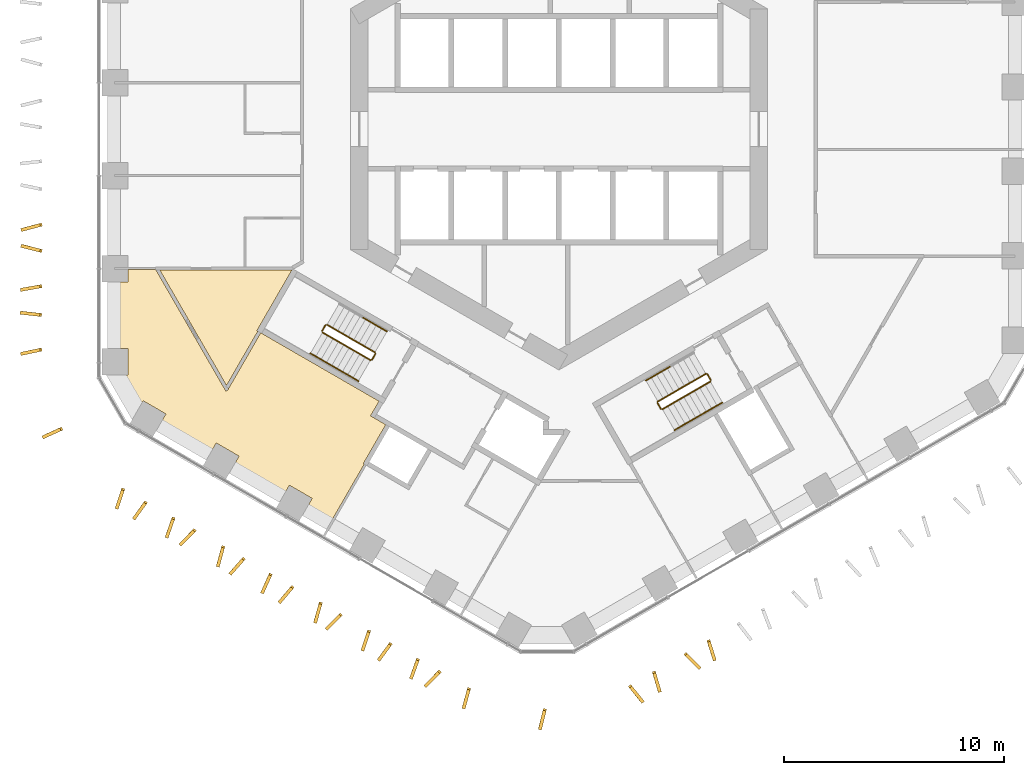
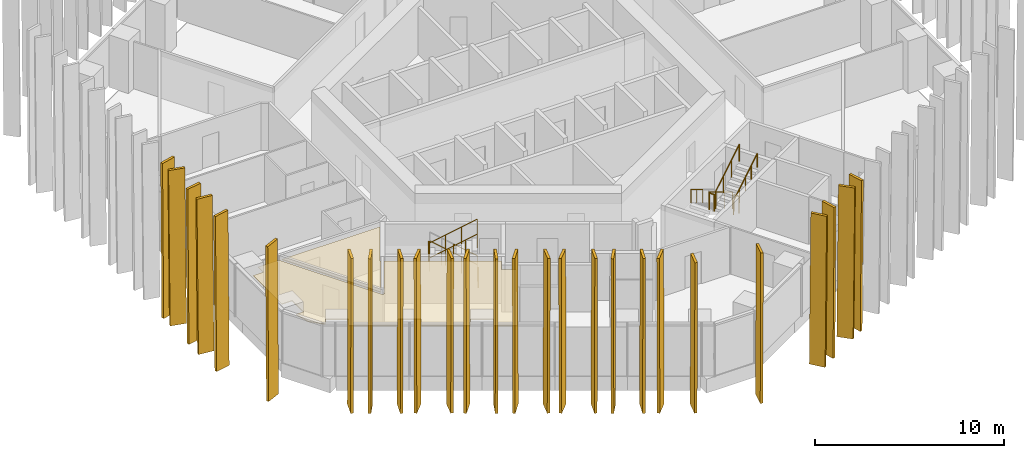
# One storey, part 17 of 19: 26 shading devices, 14 railings, 2 coverings.
"""IFC4 building model written with IfcOpenShell, lengths in metres."""

from ifc_helpers import new_model, si_unit, direction, frame, origin, origin_2d, place, context, subcontext, project, spatial, polyline, circle, outline, extrude, material, layer, layer_set, type_object, element, save


model = new_model("IFC4")

# Units and contexts
model_context = context("Model", 3, precision=1e-05, world=origin(), true_north=direction((0.0, 1.0)))
body_context = subcontext(model_context, "Body", "Model", "MODEL_VIEW")
ifc_project = project(units=[si_unit("LENGTHUNIT", "METRE"), si_unit("AREAUNIT", "SQUARE_METRE"), si_unit("VOLUMEUNIT", "CUBIC_METRE"), si_unit("PLANEANGLEUNIT", "RADIAN"), si_unit("MASSUNIT", "GRAM", prefix="KILO")], contexts=[model_context])

# Site, building, storey
site_placement = place(None, origin())
site = spatial("IfcSite", under=ifc_project, at=site_placement, CompositionType="ELEMENT")
building_placement = place(site_placement, origin())
building = spatial("IfcBuilding", under=site, at=building_placement, Name="Ayvan Gate Tower", CompositionType="ELEMENT")
storey_placement = place(building_placement, frame((0.0, 0.0, 56.10009765625)))
storey = spatial("IfcBuildingStorey", under=building, at=storey_placement, Name="L14", CompositionType="ELEMENT", Elevation=56.10009765625)

# Shading devices
ifc_material_1 = material(Name="Bronze anodised aluminium", Category="aluminium")
ifc_layer_1 = layer(ifc_material_1, 0.14990234375)
ifc_layer_set_1 = layer_set([ifc_layer_1], Name="Bronze anodised aluminium")
shading_device_type = type_object("IfcShadingDeviceType", Name="Bronze fin 900 x 150", PredefinedType="USERDEFINED", material=ifc_layer_set_1)
shading_device_1_placement = place(storey_placement, frame((-23.56640625, -4.269775390625, 0.0), z_axis=(-0.255534649947, 0.966799885788, 0.000153350932), x_axis=(-0.966799897156, -0.255534652952, 0.0)))
element("IfcShadingDevice", 1, at=shading_device_1_placement, inside=storey, type_object=shading_device_type, Name="Bronze fin FG04.3.27", ObjectType="FIN", PredefinedType="USERDEFINED", context=body_context, shape_type="SweptSolid", body=[
    extrude(outline(polyline([(0.0, 0.0), (0.8999971866563695, 6.776263578034403e-21), (0.9877792082396812, 10.079834102896253), (0.08778202158331173, 10.079834102896253), (0.0, 0.0)])), origin(), (0.0, 0.0, -1.0), 0.14990234375),
])
shading_device_2_placement = place(storey_placement, frame((-23.530029296875, -5.477294921875, 0.0), z_axis=(0.244418128171, 0.969669921361, 0.000149093428), x_axis=(-0.969669932139, 0.244418130887, 4.942e-09)))
element("IfcShadingDevice", 2, at=shading_device_2_placement, inside=storey, type_object=shading_device_type, Name="Bronze fin FG04.3.28", ObjectType="FIN", PredefinedType="USERDEFINED", context=body_context, shape_type="SweptSolid", body=[
    extrude(outline(polyline([(0.0, 0.0), (0.9000953963195151, -6.776263578034403e-21), (0.9878461206912504, 10.079834091524507), (0.08798746019501132, 10.079834100420099), (0.0, 0.0)])), origin(), (0.0, 0.0, -1.0), 0.14990234375),
])
shading_device_3_placement = place(storey_placement, frame((-23.567626953125, -7.0732421875, 0.0), z_axis=(-0.175077151907, 0.984554703984, 0.000160445596), x_axis=(-0.984554716657, -0.175077154157, -2.1423e-08)))
element("IfcShadingDevice", 3, at=shading_device_3_placement, inside=storey, type_object=shading_device_type, Name="Bronze fin FG04.3.29", ObjectType="FIN", PredefinedType="USERDEFINED", context=body_context, shape_type="SweptSolid", body=[
    extrude(outline(polyline([(0.0, 0.0), (0.9001119106195165, -3.3881317890172014e-21), (0.9879542766541323, 10.079834135281514), (0.08779962258877673, 10.079834096714322), (0.0, 0.0)])), origin(), (0.0, 0.0, -1.0), 0.14990234375),
])
shading_device_4_placement = place(storey_placement, frame((-23.550048828125, -8.392333984375, 0.0), z_axis=(0.110952561334, 0.993825693022, 0.000144995269), x_axis=(-0.993825703468, 0.1109525625, -2.182e-09)))
element("IfcShadingDevice", 4, at=shading_device_4_placement, inside=storey, type_object=shading_device_type, Name="Bronze fin FG04.3.30", ObjectType="FIN", PredefinedType="USERDEFINED", context=body_context, shape_type="SweptSolid", body=[
    extrude(outline(polyline([(0.0, 0.0), (0.8998445190106594, 3.3881317890172014e-21), (0.9878708189534259, 10.079834092488266), (0.0877836667143806, 10.079834088560101), (0.0, 0.0)])), origin(), (0.0, 0.0, -1.0), 0.14990234375),
])
shading_device_5_placement = place(storey_placement, frame((-23.567626953125, -9.961181640625, 0.0), z_axis=(-0.206147179218, 0.978520985565, 0.000145980394), x_axis=(-0.978520995991, -0.206147181415, 4.082e-09)))
element("IfcShadingDevice", 5, at=shading_device_5_placement, inside=storey, type_object=shading_device_type, Name="Bronze fin FG04.3.31", ObjectType="FIN", PredefinedType="USERDEFINED", context=body_context, shape_type="SweptSolid", body=[
    extrude(outline(polyline([(0.0, 0.0), (0.8999504615268289, -6.776263578034403e-21), (0.9878295661742267, 10.079834087744793), (0.08764020791986092, 10.0798340950928), (0.0, 0.0)])), origin(), (0.0, 0.0, -1.0), 0.14990234375),
])
shading_device_6_placement = place(storey_placement, frame((-22.65673828125, -13.5654296875, 0.0), z_axis=(-0.413813158514, 0.910361822337, 0.000149238865), x_axis=(-0.910361832473, -0.413813163125, 1.8426e-08)))
element("IfcShadingDevice", 6, at=shading_device_6_placement, inside=storey, type_object=shading_device_type, Name="Bronze fin FG04.4.32", ObjectType="FIN", PredefinedType="USERDEFINED", context=body_context, shape_type="SweptSolid", body=[
    extrude(outline(polyline([(0.0, 0.0), (0.9000618156029703, 6.776263578034403e-21), (0.9878537060897862, 10.079834078422937), (0.08789291909109452, 10.079834111590355), (0.0, 0.0)])), origin(), (0.0, 0.0, -1.0), 0.14990234375),
])
shading_device_7_placement = place(storey_placement, frame((-19.90869140625, -16.3359375, 0.0), z_axis=(-0.947838977231, 0.31874951295, 0.000145727091), x_axis=(-0.318749516334, -0.947838987295, 0.0)))
element("IfcShadingDevice", 7, at=shading_device_7_placement, inside=storey, type_object=shading_device_type, Name="Bronze fin FG04.5.33", ObjectType="FIN", PredefinedType="USERDEFINED", context=body_context, shape_type="SweptSolid", body=[
    extrude(outline(polyline([(0.0, 0.0), (0.8999707283452081, 6.776263578034403e-21), (0.9878253352599218, 10.07983409140462), (0.08785460691471371, 10.07983409140462), (0.0, 0.0)])), origin(), (0.0, 0.0, -1.0), 0.14990234375),
])
shading_device_8_placement = place(storey_placement, frame((-18.8603515625, -16.922607421875, 0.0), z_axis=(-0.812200130306, 0.58337888451, 0.000159498708), x_axis=(-0.583378891928, -0.812200140638, 1.7573e-08)))
element("IfcShadingDevice", 8, at=shading_device_8_placement, inside=storey, type_object=shading_device_type, Name="Bronze fin FG04.5.34", ObjectType="FIN", PredefinedType="USERDEFINED", context=body_context, shape_type="SweptSolid", body=[
    extrude(outline(polyline([(0.0, 0.0), (0.8999003512490822, 0.0), (0.9877921090600779, 10.079834095231607), (0.08774933132370834, 10.079834126861277), (0.0, 0.0)])), origin(), (0.0, 0.0, -1.0), 0.14990234375),
])
shading_device_9_placement = place(storey_placement, frame((-17.619384765625, -17.65771484375, 0.0), z_axis=(-0.943942890882, 0.330108763852, 0.000150934933), x_axis=(-0.330108767612, -0.943942901634, 0.0)))
element("IfcShadingDevice", 9, at=shading_device_9_placement, inside=storey, type_object=shading_device_type, Name="Bronze fin FG04.5.35", ObjectType="FIN", PredefinedType="USERDEFINED", context=body_context, shape_type="SweptSolid", body=[
    extrude(outline(polyline([(0.0, 0.0), (0.9000643720388166, 6.776263578034403e-21), (0.9879869216235507, 10.079834099191135), (0.0879225495847341, 10.079834099191135), (0.0, 0.0)])), origin(), (0.0, 0.0, -1.0), 0.14990234375),
])
shading_device_10_placement = place(storey_placement, frame((-16.625244140625, -18.1875, 0.0), z_axis=(-0.714124679589, 0.700018513078, 0.000152807978), x_axis=(-0.700018521251, -0.714124687926, 2.92e-10)))
element("IfcShadingDevice", 10, at=shading_device_10_placement, inside=storey, type_object=shading_device_type, Name="Bronze fin FG04.5.36", ObjectType="FIN", PredefinedType="USERDEFINED", context=body_context, shape_type="SweptSolid", body=[
    extrude(outline(polyline([(0.0, 0.0), (0.8998105379514405, -1.3552527156068805e-20), (0.9878733488841129, 10.079834101769585), (0.08771756112574446, 10.07983410229594), (0.0, 0.0)])), origin(), (0.0, 0.0, -1.0), 0.14990234375),
])
shading_device_11_placement = place(storey_placement, frame((-15.354736328125, -18.9638671875, 0.0), z_axis=(-0.964239186736, 0.26503353086, 0.000135215896), x_axis=(-0.265033533282, -0.964239195551, 4.86e-09)))
element("IfcShadingDevice", 11, at=shading_device_11_placement, inside=storey, type_object=shading_device_type, Name="Bronze fin FG04.5.37", ObjectType="FIN", PredefinedType="USERDEFINED", context=body_context, shape_type="SweptSolid", body=[
    extrude(outline(polyline([(0.0, 0.0), (0.9000996343258985, 0.0), (0.9878458400649727, 10.079834071720448), (0.08798161569892543, 10.07983408046851), (0.0, 0.0)])), origin(), (0.0, 0.0, -1.0), 0.14990234375),
])
shading_device_12_placement = place(storey_placement, frame((-14.390625, -19.48779296875, 0.0), z_axis=(-0.750826499351, 0.660499467457, 0.000146154473), x_axis=(-0.660499474511, -0.750826507371, 0.0)))
element("IfcShadingDevice", 12, at=shading_device_12_placement, inside=storey, type_object=shading_device_type, Name="Bronze fin FG04.5.38", ObjectType="FIN", PredefinedType="USERDEFINED", context=body_context, shape_type="SweptSolid", body=[
    extrude(outline(polyline([(0.0, 0.0), (0.9000498029386641, 0.0), (0.9878483480023044, 10.079834092033323), (0.08779854506364024, 10.079834092033323), (0.0, 0.0)])), origin(), (0.0, 0.0, -1.0), 0.14990234375),
])
shading_device_13_placement = place(storey_placement, frame((-13.189453125, -20.2138671875, 0.0), z_axis=(-0.912012835694, 0.410161632234, 0.000151565326), x_axis=(-0.410161636945, -0.91201284617, 0.0)))
element("IfcShadingDevice", 13, at=shading_device_13_placement, inside=storey, type_object=shading_device_type, Name="Bronze fin FG04.5.39", ObjectType="FIN", PredefinedType="USERDEFINED", context=body_context, shape_type="SweptSolid", body=[
    extrude(outline(polyline([(0.0, 0.0), (0.8999881796590448, 0.0), (0.9879079073271037, 10.079834100152219), (0.08791972766805883, 10.079834100152219), (0.0, 0.0)])), origin(), (0.0, 0.0, -1.0), 0.14990234375),
])
shading_device_14_placement = place(storey_placement, frame((-12.16552734375, -20.775146484375, 0.0), z_axis=(-0.76070985243, 0.649092058073, 0.000143398404), x_axis=(-0.649092064748, -0.76070986025, -1.2625e-08)))
element("IfcShadingDevice", 14, at=shading_device_14_placement, inside=storey, type_object=shading_device_type, Name="Bronze fin FG04.5.40", ObjectType="FIN", PredefinedType="USERDEFINED", context=body_context, shape_type="SweptSolid", body=[
    extrude(outline(polyline([(0.0, 0.0), (0.8999774802446858, -1.3552527156068805e-20), (0.98789713423179, 10.079834100483465), (0.08773393380637913, 10.079834077756813), (0.0, 0.0)])), origin(), (0.0, 0.0, -1.0), 0.14990234375),
])
shading_device_15_placement = place(storey_placement, frame((-10.9150390625, -21.52734375, 0.0), z_axis=(-0.962616674342, 0.270867338123, 0.000153022541), x_axis=(-0.270867341291, -0.962616685614, 2.5599e-08)))
element("IfcShadingDevice", 15, at=shading_device_15_placement, inside=storey, type_object=shading_device_type, Name="Bronze fin FG04.5.41", ObjectType="FIN", PredefinedType="USERDEFINED", context=body_context, shape_type="SweptSolid", body=[
    extrude(outline(polyline([(0.0, 0.0), (0.900061578088748, 0.0), (0.9879305866110687, 10.079834077098932), (0.08803789263958697, 10.079834123176362), (0.0, 0.0)])), origin(), (0.0, 0.0, -1.0), 0.14990234375),
])
shading_device_16_placement = place(storey_placement, frame((-9.963134765625, -22.03271484375, 0.0), z_axis=(-0.710354054911, 0.703844510307, 0.000148264902), x_axis=(-0.703844518043, -0.710354062719, 0.0)))
element("IfcShadingDevice", 16, at=shading_device_16_placement, inside=storey, type_object=shading_device_type, Name="Bronze fin FG04.5.42", ObjectType="FIN", PredefinedType="USERDEFINED", context=body_context, shape_type="SweptSolid", body=[
    extrude(outline(polyline([(0.0, 0.0), (0.900120560200584, 0.0), (0.9879988173537924, 10.079834095164882), (0.08787825715320852, 10.079834095164882), (0.0, 0.0)])), origin(), (0.0, 0.0, -1.0), 0.14990234375),
])
shading_device_17_placement = place(storey_placement, frame((-8.7109375, -22.801025390625, 0.0), z_axis=(-0.94910294756, 0.314965991744, 0.000137760066), x_axis=(-0.314965994734, -0.949102956566, -5.886e-09)))
element("IfcShadingDevice", 17, at=shading_device_17_placement, inside=storey, type_object=shading_device_type, Name="Bronze fin FG04.5.43", ObjectType="FIN", PredefinedType="USERDEFINED", context=body_context, shape_type="SweptSolid", body=[
    extrude(outline(polyline([(0.0, 0.0), (0.8998138823125035, 0.0), (0.9878284090363812, 10.0798340858364), (0.08778281213487249, 10.079834075241838), (0.0, 0.0)])), origin(), (0.0, 0.0, -1.0), 0.14990234375),
])
shading_device_18_placement = place(storey_placement, frame((-7.702880859375, -23.36328125, 0.0), z_axis=(-0.807137521629, 0.590363444392, 0.000157177457), x_axis=(-0.590363451684, -0.807137531599, 0.0)))
element("IfcShadingDevice", 18, at=shading_device_18_placement, inside=storey, type_object=shading_device_type, Name="Bronze fin FG04.5.44", ObjectType="FIN", PredefinedType="USERDEFINED", context=body_context, shape_type="SweptSolid", body=[
    extrude(outline(polyline([(0.0, 0.0), (0.89986939144811, 1.3552527156068805e-20), (0.9876388418359761, 10.079834108884908), (0.08776945038786613, 10.079834108884908), (0.0, 0.0)])), origin(), (0.0, 0.0, -1.0), 0.14990234375),
])
shading_device_19_placement = place(storey_placement, frame((-6.480712890625, -24.088623046875, 0.0), z_axis=(-0.940959993955, 0.338517749339, 0.000152183332), x_axis=(-0.338517753259, -0.940960004851, 0.0)))
element("IfcShadingDevice", 19, at=shading_device_19_placement, inside=storey, type_object=shading_device_type, Name="Bronze fin FG04.5.45", ObjectType="FIN", PredefinedType="USERDEFINED", context=body_context, shape_type="SweptSolid", body=[
    extrude(outline(polyline([(0.0, 0.0), (0.9000635773667073, 0.0), (0.9879872641421243, 10.079834101098303), (0.08792368677541715, 10.079834101098303), (0.0, 0.0)])), origin(), (0.0, 0.0, -1.0), 0.14990234375),
])
shading_device_20_placement = place(storey_placement, frame((-5.464599609375, -24.631591796875, 0.0), z_axis=(-0.716403386115, 0.697686296512, 0.000141501521), x_axis=(-0.697686303497, -0.716403393287, 0.0)))
element("IfcShadingDevice", 20, at=shading_device_20_placement, inside=storey, type_object=shading_device_type, Name="Bronze fin FG04.5.46", ObjectType="FIN", PredefinedType="USERDEFINED", context=body_context, shape_type="SweptSolid", body=[
    extrude(outline(polyline([(0.0, 0.0), (0.9000172202794061, 0.0), (0.9879142432298154, 10.07983408528765), (0.08789702295040935, 10.07983408528765), (0.0, 0.0)])), origin(), (0.0, 0.0, -1.0), 0.14990234375),
])
shading_device_21_placement = place(storey_placement, frame((-4.158203125, -25.42822265625, 0.0), z_axis=(-0.964534945158, 0.263955140385, 0.000153083117), x_axis=(-0.263955143477, -0.964534956459, 5.48e-09)))
element("IfcShadingDevice", 21, at=shading_device_21_placement, inside=storey, type_object=shading_device_type, Name="Bronze fin FG04.5.47", ObjectType="FIN", PredefinedType="USERDEFINED", context=body_context, shape_type="SweptSolid", body=[
    extrude(outline(polyline([(0.0, 0.0), (0.9000768212335358, -1.3552527156068805e-20), (0.9877600225490203, 9.799804796913458), (0.08791868348258888, 9.799804806777177), (0.0, 0.0)])), origin(), (0.0, 0.0, -1.0), 0.14990234375),
])
shading_device_22_placement = place(storey_placement, frame((-0.705810546875, -26.383056640625, 0.0), z_axis=(-0.970587631892, 0.240748050113, 0.000158701077), x_axis=(-0.240748053148, -0.970587644113, -2.0891e-08)))
element("IfcShadingDevice", 22, at=shading_device_22_placement, inside=storey, type_object=shading_device_type, Name="Bronze fin FG04.6.48", ObjectType="FIN", PredefinedType="USERDEFINED", context=body_context, shape_type="SweptSolid", body=[
    extrude(outline(polyline([(0.0, 0.0), (0.9000358549396699, 0.0), (0.9879106764142748, 9.79980483154781), (0.08793359785476795, 9.79980479394325), (0.0, 0.0)])), origin(), (0.0, 0.0, -1.0), 0.14990234375),
])
shading_device_23_placement = place(storey_placement, frame((3.157470703125, -25.390380859375, 0.0), z_axis=(-0.778601121145, -0.627519140836, 0.000148443348), x_axis=(0.627519147753, -0.778601129721, 2.8309e-08)))
element("IfcShadingDevice", 23, at=shading_device_23_placement, inside=storey, type_object=shading_device_type, Name="Bronze fin FG04.7.49", ObjectType="FIN", PredefinedType="USERDEFINED", context=body_context, shape_type="SweptSolid", body=[
    extrude(outline(polyline([(0.0, 0.0), (0.9000645874513402, 1.3552527156068805e-20), (0.9879559578679263, 9.799804767503721), (0.08785448516708222, 9.799804818464041), (0.0, 0.0)])), origin(), (0.0, 0.0, -1.0), 0.14990234375),
])
shading_device_24_placement = place(storey_placement, frame((4.24755859375, -24.719970703125, 0.0), z_axis=(-0.958986700639, -0.283451025928, 0.000154587351), x_axis=(0.283451029316, -0.958986712098, 5.943e-09)))
element("IfcShadingDevice", 24, at=shading_device_24_placement, inside=storey, type_object=shading_device_type, Name="Bronze fin FG04.7.50", ObjectType="FIN", PredefinedType="USERDEFINED", context=body_context, shape_type="SweptSolid", body=[
    extrude(outline(polyline([(0.0, 0.0), (0.8999571174072549, 6.776263578034403e-21), (0.9879708817379821, 9.799804798722212), (0.08777963671546897, 9.799804809421344), (0.0, 0.0)])), origin(), (0.0, 0.0, -1.0), 0.14990234375),
])
shading_device_25_placement = place(storey_placement, frame((5.68505859375, -23.929931640625, 0.0), z_axis=(-0.707445766351, -0.706767616651, 0.000154031551), x_axis=(0.706767625034, -0.707445774745, -1.4781e-08)))
element("IfcShadingDevice", 25, at=shading_device_25_placement, inside=storey, type_object=shading_device_type, Name="Bronze fin FG04.7.51", ObjectType="FIN", PredefinedType="USERDEFINED", context=body_context, shape_type="SweptSolid", body=[
    extrude(outline(polyline([(0.0, 0.0), (0.899938536071079, 0.0), (0.9878080832550958, 9.799804818354373), (0.08769699649431133, 9.79980479174807), (0.0, 0.0)])), origin(), (0.0, 0.0, -1.0), 0.14990234375),
])
shading_device_26_placement = place(storey_placement, frame((6.73291015625, -23.2880859375, 0.0), z_axis=(-0.954520989034, -0.298143688205, 0.000150592981), x_axis=(0.298143691584, -0.954520999857, -6.089e-09)))
element("IfcShadingDevice", 26, at=shading_device_26_placement, inside=storey, type_object=shading_device_type, Name="Bronze fin FG04.7.52", ObjectType="FIN", PredefinedType="USERDEFINED", context=body_context, shape_type="SweptSolid", body=[
    extrude(outline(polyline([(0.0, 0.0), (0.9000535438351591, 0.0), (0.9877443772514698, 9.799804804635931), (0.08792387076979148, 9.79980479367584), (0.0, 0.0)])), origin(), (0.0, 0.0, -1.0), 0.14990234375),
])

# Coverings
ifc_material_2 = material(Name="Plasterboard suspended ceiling")
ifc_layer_2 = layer(ifc_material_2, 0.050048828125)
ifc_layer_set_2 = layer_set([ifc_layer_2], Name="Plasterboard suspended ceiling")
covering_type = type_object("IfcCoveringType", Name="CT-SUSP-50", PredefinedType="CEILING", material=ifc_layer_set_2)
covering_1_placement = place(storey_placement, frame((0.0, 0.0, 2.699951171875)))
element("IfcCovering", 27, at=covering_1_placement, inside=storey, type_object=covering_type, Name="Ceiling Ring Corridor L14", PredefinedType="CEILING", context=body_context, shape_type="SweptSolid", body=[
    extrude(outline(polyline([(-15.142578125, -11.677490234375), (-18.177490234375, -6.4208984375), (-12.165283203125, -6.4208984375), (-13.756103515625, -9.17626953125), (-13.712890625, -9.201416015625), (-15.142578125, -11.677490234375)])), origin(), (0.0, 0.0, 1.0), 0.050048828125),
])
covering_2_placement = place(storey_placement, frame((0.0, 0.0, 2.699951171875)))
element("IfcCovering", 28, at=covering_2_placement, inside=storey, type_object=covering_type, Name="Ceiling Gym L14", PredefinedType="CEILING", context=body_context, shape_type="SweptSolid", body=[
    extrude(outline(polyline([(-19.620849609375, -11.193603515625), (-19.620849609375, -9.993408203125), (-20.25048828125, -9.993408203125), (-20.25048828125, -6.9560546875), (-19.620849609375, -6.9560546875), (-19.620849609375, -6.395751953125), (-18.38232421875, -6.395751953125), (-18.38232421875, -6.4208984375), (-18.350341796875, -6.4208984375), (-15.169921875, -11.929931640625), (-15.0400390625, -11.85498046875), (-15.087646484375, -11.772705078125), (-15.0400390625, -11.800048828125), (-13.5830078125, -9.2763671875), (-13.556884765625, -9.291259765625), (-8.19189453125, -12.388916015625), (-8.579345703125, -13.06005859375), (-8.423583984375, -13.14990234375), (-7.88671875, -13.4599609375), (-8.91162109375, -15.2353515625), (-8.868408203125, -15.260498046875), (-10.435546875, -17.97509765625), (-11.538330078125, -17.33837890625), (-11.23828125, -16.818603515625), (-12.277587890625, -16.21875), (-12.57763671875, -16.73828125), (-14.869873046875, -15.414794921875), (-14.56982421875, -14.895263671875), (-15.60888671875, -14.29541015625), (-15.908935546875, -14.81494140625), (-16.627685546875, -14.39990234375), (-18.201171875, -13.491455078125), (-17.901123046875, -12.971923828125), (-18.9404296875, -12.371826171875), (-19.16455078125, -12.76025390625), (-19.8486328125, -12.076416015625), (-20.085205078125, -11.193603515625), (-19.620849609375, -11.193603515625)])), origin(), (0.0, 0.0, 1.0), 0.050048828125),
])

# Railings
ifc_material_3 = material(Name="Stainless steel balustrade", Category="steel")
railing_type_1 = type_object("IfcRailingType", Name="RL-GUARD-1100", PredefinedType="GUARDRAIL", material=ifc_material_3)
railing_1_placement = place(storey_placement, frame((-8.381103515625, -10.16650390625, 0.169921875)))
element("IfcRailing", 29, at=railing_1_placement, inside=storey, type_object=railing_type_1, Name="L14 STS2 stair guard 1", PredefinedType="GUARDRAIL", context=body_context, shape_type="SweptSolid", body=[
    extrude(circle(Radius=0.02392578125, at=origin_2d()), frame((0.0, 0.0, 1.076171875), z_axis=(-0.740261155115, 0.427395438142, 0.518986090067), x_axis=(-0.500004791531, -0.866022637375, 0.0)), (0.0, 0.0, 1.0), 2.947998046875),
    extrude(circle(Radius=0.02099609375, at=origin_2d()), origin(), (0.0, 0.0, 1.0), 1.052001953125),
    extrude(circle(Radius=0.02099609375, at=origin_2d()), frame((-0.7275390625, 0.419921875, 0.510009765625)), (0.0, 0.0, 1.0), 1.052001953125),
    extrude(circle(Radius=0.02099609375, at=origin_2d()), frame((-1.454833984375, 0.840087890625, 1.02001953125)), (0.0, 0.0, 1.0), 1.052001953125),
    extrude(circle(Radius=0.02099609375, at=origin_2d()), frame((-2.182373046875, 1.260009765625, 1.530029296875)), (0.0, 0.0, 1.0), 1.052001953125),
])
railing_2_placement = place(storey_placement, frame((-10.6318359375, -8.9248046875, 1.699951171875)))
element("IfcRailing", 30, at=railing_2_placement, inside=storey, type_object=railing_type_1, Name="L14 STS2 stair guard 2", PredefinedType="GUARDRAIL", context=body_context, shape_type="SweptSolid", body=[
    extrude(circle(Radius=0.02392578125, at=origin_2d()), frame((0.0, 0.0, 1.076171875), z_axis=(-0.499949632511, -0.866054481515, 0.0), x_axis=(0.866054481515, -0.499949632511, 0.0)), (0.0, 0.0, 1.0), 0.31005859375),
    extrude(circle(Radius=0.02099609375, at=origin_2d()), origin(), (0.0, 0.0, 1.0), 1.052001953125),
    extrude(circle(Radius=0.02099609375, at=origin_2d()), frame((-0.155029296875, -0.2685546875, 0.0)), (0.0, 0.0, 1.0), 1.052001953125),
])
railing_3_placement = place(storey_placement, frame((-10.7685546875, -9.261474609375, 1.869873046875)))
element("IfcRailing", 31, at=railing_3_placement, inside=storey, type_object=railing_type_1, Name="L14 STS2 stair guard 3", PredefinedType="GUARDRAIL", context=body_context, shape_type="SweptSolid", body=[
    extrude(circle(Radius=0.02392578125, at=origin_2d()), frame((0.0, 0.0, 1.076171875), z_axis=(0.740261155115, -0.427395438142, 0.518986090067), x_axis=(0.500004791531, 0.866022637375, 0.0)), (0.0, 0.0, 1.0), 2.947998046875),
    extrude(circle(Radius=0.02099609375, at=origin_2d()), origin(), (0.0, 0.0, 1.0), 1.052001953125),
    extrude(circle(Radius=0.02099609375, at=origin_2d()), frame((0.7275390625, -0.419921875, 0.510009765625)), (0.0, 0.0, 1.0), 1.052001953125),
    extrude(circle(Radius=0.02099609375, at=origin_2d()), frame((1.454833984375, -0.840087890625, 1.02001953125)), (0.0, 0.0, 1.0), 1.052001953125),
    extrude(circle(Radius=0.02099609375, at=origin_2d()), frame((2.182373046875, -1.260009765625, 1.530029296875)), (0.0, 0.0, 1.0), 1.052001953125),
])
railing_4_placement = place(storey_placement, frame((-8.36279296875, -10.23486328125, 0.0)))
element("IfcRailing", 32, at=railing_4_placement, inside=storey, type_object=railing_type_1, Name="L14 STS2 stair guard 4", PredefinedType="GUARDRAIL", context=body_context, shape_type="SweptSolid", body=[
    extrude(circle(Radius=0.02392578125, at=origin_2d()), frame((0.0, 0.0, 1.076171875), z_axis=(-0.500290723946, -0.86585748916, 0.0), x_axis=(0.86585748916, -0.500290723946, 0.0)), (0.0, 0.0, 1.0), 0.309814453125),
    extrude(circle(Radius=0.02099609375, at=origin_2d()), origin(), (0.0, 0.0, 1.0), 1.052001953125),
    extrude(circle(Radius=0.02099609375, at=origin_2d()), frame((-0.155029296875, -0.268310546875, 0.0)), (0.0, 0.0, 1.0), 1.052001953125),
])
railing_5_placement = place(storey_placement, frame((6.6923828125, -11.1416015625, 0.169921875)))
element("IfcRailing", 33, at=railing_5_placement, inside=storey, type_object=railing_type_1, Name="L14 STS3 stair guard 1", PredefinedType="GUARDRAIL", context=body_context, shape_type="SweptSolid", body=[
    extrude(circle(Radius=0.02392578125, at=origin_2d()), frame((0.0, 0.0, 1.076171875), z_axis=(-0.740261155115, -0.427395438142, 0.518986090067), x_axis=(0.500004791531, -0.866022637375, 0.0)), (0.0, 0.0, 1.0), 2.947998046875),
    extrude(circle(Radius=0.02099609375, at=origin_2d()), origin(), (0.0, 0.0, 1.0), 1.052001953125),
    extrude(circle(Radius=0.02099609375, at=origin_2d()), frame((-0.7275390625, -0.419921875, 0.510009765625)), (0.0, 0.0, 1.0), 1.052001953125),
    extrude(circle(Radius=0.02099609375, at=origin_2d()), frame((-1.454833984375, -0.840087890625, 1.02001953125)), (0.0, 0.0, 1.0), 1.052001953125),
    extrude(circle(Radius=0.02099609375, at=origin_2d()), frame((-2.182373046875, -1.260009765625, 1.530029296875)), (0.0, 0.0, 1.0), 1.052001953125),
])
railing_6_placement = place(storey_placement, frame((4.49169921875, -12.4697265625, 1.699951171875)))
element("IfcRailing", 34, at=railing_6_placement, inside=storey, type_object=railing_type_1, Name="L14 STS3 stair guard 2", PredefinedType="GUARDRAIL", context=body_context, shape_type="SweptSolid", body=[
    extrude(circle(Radius=0.02392578125, at=origin_2d()), frame((0.0, 0.0, 1.076171875), z_axis=(0.499949632511, -0.866054481515, 0.0), x_axis=(0.866054481515, 0.499949632511, 0.0)), (0.0, 0.0, 1.0), 0.31005859375),
    extrude(circle(Radius=0.02099609375, at=origin_2d()), origin(), (0.0, 0.0, 1.0), 1.052001953125),
    extrude(circle(Radius=0.02099609375, at=origin_2d()), frame((0.155029296875, -0.2685546875, 0.0)), (0.0, 0.0, 1.0), 1.052001953125),
])
railing_7_placement = place(storey_placement, frame((4.715087890625, -12.756591796875, 1.869873046875)))
element("IfcRailing", 35, at=railing_7_placement, inside=storey, type_object=railing_type_1, Name="L14 STS3 stair guard 3", PredefinedType="GUARDRAIL", context=body_context, shape_type="SweptSolid", body=[
    extrude(circle(Radius=0.02392578125, at=origin_2d()), frame((0.0, 0.0, 1.076171875), z_axis=(0.740261155115, 0.427395438142, 0.518986090067), x_axis=(-0.500004791531, 0.866022637375, 0.0)), (0.0, 0.0, 1.0), 2.947998046875),
    extrude(circle(Radius=0.02099609375, at=origin_2d()), origin(), (0.0, 0.0, 1.0), 1.052001953125),
    extrude(circle(Radius=0.02099609375, at=origin_2d()), frame((0.7275390625, 0.419921875, 0.510009765625)), (0.0, 0.0, 1.0), 1.052001953125),
    extrude(circle(Radius=0.02099609375, at=origin_2d()), frame((1.454833984375, 0.840087890625, 1.02001953125)), (0.0, 0.0, 1.0), 1.052001953125),
    extrude(circle(Radius=0.02099609375, at=origin_2d()), frame((2.182373046875, 1.260009765625, 1.530029296875)), (0.0, 0.0, 1.0), 1.052001953125),
])
railing_8_placement = place(storey_placement, frame((6.7607421875, -11.159912109375, 0.0)))
element("IfcRailing", 36, at=railing_8_placement, inside=storey, type_object=railing_type_1, Name="L14 STS3 stair guard 4", PredefinedType="GUARDRAIL", context=body_context, shape_type="SweptSolid", body=[
    extrude(circle(Radius=0.02392578125, at=origin_2d()), frame((0.0, 0.0, 1.076171875), z_axis=(0.500290723946, -0.86585748916, 0.0), x_axis=(0.86585748916, 0.500290723946, 0.0)), (0.0, 0.0, 1.0), 0.309814453125),
    extrude(circle(Radius=0.02099609375, at=origin_2d()), origin(), (0.0, 0.0, 1.0), 1.052001953125),
    extrude(circle(Radius=0.02099609375, at=origin_2d()), frame((0.155029296875, -0.268310546875, 0.0)), (0.0, 0.0, 1.0), 1.052001953125),
])
railing_type_2 = type_object("IfcRailingType", Name="RL-HANDRAIL-900", PredefinedType="HANDRAIL", material=ifc_material_3)
railing_9_placement = place(storey_placement, frame((-7.8310546875, -9.2138671875, 0.169921875)))
element("IfcRailing", 37, at=railing_9_placement, inside=storey, type_object=railing_type_2, Name="L14 STS2 stair handrail 1", PredefinedType="HANDRAIL", context=body_context, shape_type="SweptSolid", body=[
    extrude(circle(Radius=0.02392578125, at=origin_2d()), frame((0.0, 0.0, 0.8759765625), z_axis=(-0.740356597536, 0.427319915356, 0.518912129772), x_axis=(-0.499890179513, -0.866088799389, 0.0)), (0.0, 0.0, 1.0), 1.47412109375),
    extrude(circle(Radius=0.02099609375, at=origin_2d()), origin(), (0.0, 0.0, 1.0), 0.851806640625),
    extrude(circle(Radius=0.02099609375, at=origin_2d()), frame((-0.545654296875, 0.31494140625, 0.38232421875)), (0.0, 0.0, 1.0), 0.851806640625),
    extrude(circle(Radius=0.02099609375, at=origin_2d()), frame((-1.09130859375, 0.6298828125, 0.764892578125)), (0.0, 0.0, 1.0), 0.851806640625),
])
railing_10_placement = place(storey_placement, frame((-11.318603515625, -10.214111328125, 1.869873046875)))
element("IfcRailing", 38, at=railing_10_placement, inside=storey, type_object=railing_type_2, Name="L14 STS2 stair handrail 3", PredefinedType="HANDRAIL", context=body_context, shape_type="SweptSolid", body=[
    extrude(circle(Radius=0.02392578125, at=origin_2d()), frame((0.0, 0.0, 0.8759765625), z_axis=(0.740240574041, -0.427418550694, 0.518996411419), x_axis=(0.500035496587, 0.86600490885, 0.0)), (0.0, 0.0, 1.0), 1.474365234375),
    extrude(circle(Radius=0.02099609375, at=origin_2d()), origin(), (0.0, 0.0, 1.0), 0.851806640625),
    extrude(circle(Radius=0.02099609375, at=origin_2d()), frame((0.545654296875, -0.31494140625, 0.382568359375)), (0.0, 0.0, 1.0), 0.851806640625),
    extrude(circle(Radius=0.02099609375, at=origin_2d()), frame((1.09130859375, -0.630126953125, 0.76513671875)), (0.0, 0.0, 1.0), 0.851806640625),
])
railing_11_placement = place(storey_placement, frame((-10.227294921875, -10.84423828125, 2.635009765625)))
element("IfcRailing", 39, at=railing_11_placement, inside=storey, type_object=railing_type_2, Name="L14 STS2 stair handrail 4", PredefinedType="HANDRAIL", context=body_context, shape_type="SweptSolid", body=[
    extrude(circle(Radius=0.02392578125, at=origin_2d()), frame((0.0, 0.0, 0.8759765625), z_axis=(0.740356597536, -0.427319915356, 0.518912129772), x_axis=(0.499890179513, 0.866088799389, 0.0)), (0.0, 0.0, 1.0), 1.47412109375),
    extrude(circle(Radius=0.02099609375, at=origin_2d()), origin(), (0.0, 0.0, 1.0), 0.851806640625),
    extrude(circle(Radius=0.02099609375, at=origin_2d()), frame((0.545654296875, -0.31494140625, 0.38232421875)), (0.0, 0.0, 1.0), 0.851806640625),
    extrude(circle(Radius=0.02099609375, at=origin_2d()), frame((1.09130859375, -0.6298828125, 0.764892578125)), (0.0, 0.0, 1.0), 0.851806640625),
])
railing_12_placement = place(storey_placement, frame((5.05126953125, -10.81884765625, 0.934814453125)))
element("IfcRailing", 40, at=railing_12_placement, inside=storey, type_object=railing_type_2, Name="L14 STS3 stair handrail 2", PredefinedType="HANDRAIL", context=body_context, shape_type="SweptSolid", body=[
    extrude(circle(Radius=0.02392578125, at=origin_2d()), frame((0.0, 0.0, 0.8759765625), z_axis=(-0.740240574041, -0.427418550694, 0.518996411419), x_axis=(0.500035496587, -0.86600490885, 0.0)), (0.0, 0.0, 1.0), 1.474365234375),
    extrude(circle(Radius=0.02099609375, at=origin_2d()), origin(), (0.0, 0.0, 1.0), 0.851806640625),
    extrude(circle(Radius=0.02099609375, at=origin_2d()), frame((-0.545654296875, -0.31494140625, 0.382568359375)), (0.0, 0.0, 1.0), 0.851806640625),
    extrude(circle(Radius=0.02099609375, at=origin_2d()), frame((-1.09130859375, -0.630126953125, 0.76513671875)), (0.0, 0.0, 1.0), 0.851806640625),
])
railing_13_placement = place(storey_placement, frame((5.264892578125, -13.709228515625, 1.869873046875)))
element("IfcRailing", 41, at=railing_13_placement, inside=storey, type_object=railing_type_2, Name="L14 STS3 stair handrail 3", PredefinedType="HANDRAIL", context=body_context, shape_type="SweptSolid", body=[
    extrude(circle(Radius=0.02392578125, at=origin_2d()), frame((0.0, 0.0, 0.8759765625), z_axis=(0.740240574041, 0.427418550694, 0.518996411419), x_axis=(-0.500035496587, 0.86600490885, 0.0)), (0.0, 0.0, 1.0), 1.474365234375),
    extrude(circle(Radius=0.02099609375, at=origin_2d()), origin(), (0.0, 0.0, 1.0), 0.851806640625),
    extrude(circle(Radius=0.02099609375, at=origin_2d()), frame((0.545654296875, 0.31494140625, 0.382568359375)), (0.0, 0.0, 1.0), 0.851806640625),
    extrude(circle(Radius=0.02099609375, at=origin_2d()), frame((1.09130859375, 0.630126953125, 0.76513671875)), (0.0, 0.0, 1.0), 0.851806640625),
])
railing_14_placement = place(storey_placement, frame((6.356201171875, -13.0791015625, 2.635009765625)))
element("IfcRailing", 42, at=railing_14_placement, inside=storey, type_object=railing_type_2, Name="L14 STS3 stair handrail 4", PredefinedType="HANDRAIL", context=body_context, shape_type="SweptSolid", body=[
    extrude(circle(Radius=0.02392578125, at=origin_2d()), frame((0.0, 0.0, 0.8759765625), z_axis=(0.740281741151, 0.427372318678, 0.518975765278), x_axis=(-0.499974077718, 0.866040369504, 0.0)), (0.0, 0.0, 1.0), 1.473876953125),
    extrude(circle(Radius=0.02099609375, at=origin_2d()), origin(), (0.0, 0.0, 1.0), 0.851806640625),
    extrude(circle(Radius=0.02099609375, at=origin_2d()), frame((0.54541015625, 0.31494140625, 0.38232421875)), (0.0, 0.0, 1.0), 0.851806640625),
    extrude(circle(Radius=0.02099609375, at=origin_2d()), frame((1.091064453125, 0.6298828125, 0.764892578125)), (0.0, 0.0, 1.0), 0.851806640625),
])

save(model, "model.ifc")
